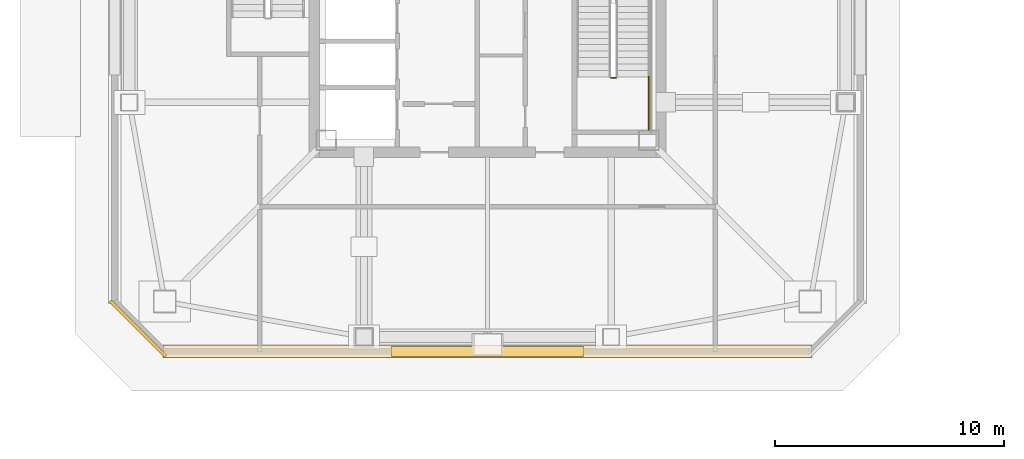
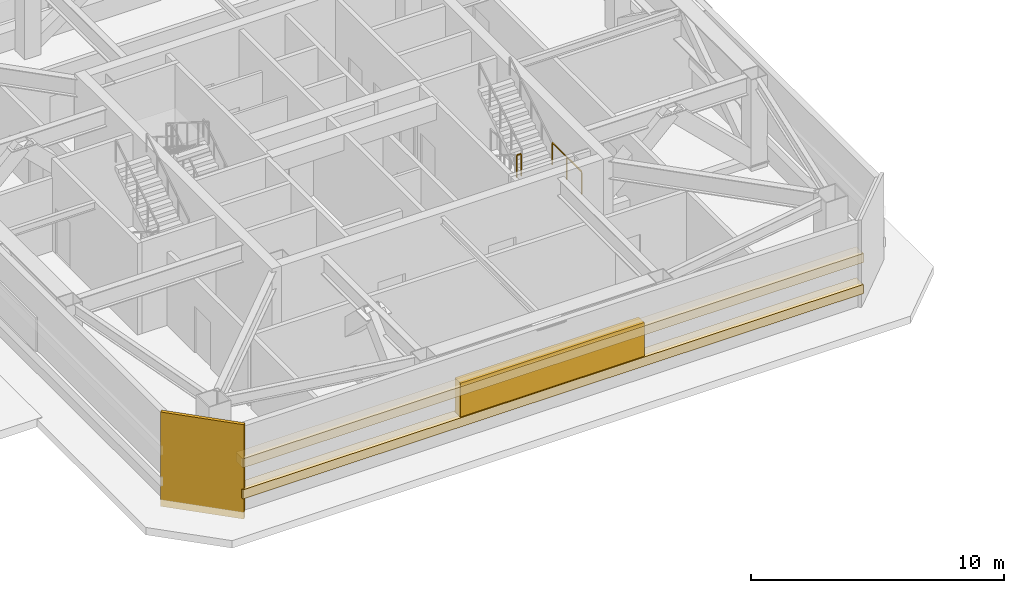
# One storey, part 10 of 15: 3 coverings, 2 railings, 1 shading device.
"""IFC4 building model written with IfcOpenShell, lengths in metres."""

from ifc_helpers import new_model, si_unit, direction, frame, origin, origin_2d, place, context, subcontext, project, spatial, rectangle, extrude, material, layer, layer_set, type_object, element, save


model = new_model("IFC4")

# Units and contexts
model_context = context("Model", 3, precision=1e-05, world=origin(), true_north=direction((0.0, 1.0)))
body_context = subcontext(model_context, "Body", "Model", "MODEL_VIEW")
ifc_project = project(units=[si_unit("LENGTHUNIT", "METRE"), si_unit("AREAUNIT", "SQUARE_METRE"), si_unit("VOLUMEUNIT", "CUBIC_METRE"), si_unit("PLANEANGLEUNIT", "RADIAN"), si_unit("MASSUNIT", "GRAM", prefix="KILO")], contexts=[model_context])

# Site, building, storey
site_placement = place(None, origin())
site = spatial("IfcSite", under=ifc_project, at=site_placement, CompositionType="ELEMENT")
building_placement = place(site_placement, origin())
building = spatial("IfcBuilding", under=site, at=building_placement, Name="Tashvorn Skyway Center", CompositionType="ELEMENT")
storey_placement = place(building_placement, frame((0.0, 0.0, 199.60009765625)))
storey = spatial("IfcBuildingStorey", under=building, at=storey_placement, Name="L54", CompositionType="ELEMENT", Elevation=199.60009765625)

# Coverings
ifc_material_1 = material(Name="Perforated ceramic-coated bronze aluminium solar screen", Category="aluminium")
ifc_layer_1 = layer(ifc_material_1, 0.85009765625)
ifc_layer_set_1 = layer_set([ifc_layer_1], Name="Perforated ceramic-coated bronze aluminium solar screen")
covering_type_1 = type_object("IfcCoveringType", Name="COV-SOLAR-BAND", PredefinedType="CLADDING", material=ifc_layer_set_1)
for number, where, z_axis, x_axis, name in (
    (1, (42.0, 15.719970703125, 1.030029296875), (0.0, 0.0, 1.0), (-1.0, 0.0, 0.0), "Tower 1 L54 South Belt Acoustic Louvre Band 1"),
    (2, (42.0, 15.719970703125, 2.530029296875), (0.0, 0.0, 1.0), (-1.0, 0.0, 0.0), "Tower 1 L54 South Belt Acoustic Louvre Band 2"),
):
    element("IfcCovering", number, at=place(storey_placement, frame(where, z_axis=z_axis, x_axis=x_axis)), inside=storey, type_object=covering_type_1, Name=name, PredefinedType="CLADDING", context=body_context, shape_type="SweptSolid", body=[
        extrude(rectangle(XDim=28.360107421875, YDim=0.550048828125, at=origin_2d()), origin(), (0.0, 0.0, 1.0), 0.43994140625),
    ])
ifc_material_2 = material(Name="Precast concrete C40/50", Category="concrete")
ifc_layer_2 = layer(ifc_material_2, 0.35009765625)
ifc_layer_set_2 = layer_set([ifc_layer_2], Name="Precast concrete C40/50")
covering_type_2 = type_object("IfcCoveringType", Name="COV-STONE-TRIM", PredefinedType="CLADDING", material=ifc_layer_set_2)
covering_placement = place(storey_placement, frame((26.72998046875, 16.72998046875, 0.019775390625), z_axis=(0.0, 0.0, 1.0), x_axis=(-0.707106781187, 0.707106781187, 0.0)))
element("IfcCovering", 3, at=covering_placement, inside=storey, type_object=covering_type_2, Name="Tower 1 L54 SW Mojave Limestone Corner Quoin", PredefinedType="CLADDING", context=body_context, shape_type="SweptSolid", body=[
    extrude(rectangle(XDim=3.41259765625, YDim=0.139892578125, at=origin_2d()), origin(), (0.0, 0.0, 1.0), 4.56005859375),
])

# Railings
ifc_material_3 = material(Name="Painted galvanized steel S355", Category="steel")
railing_type = type_object("IfcRailingType", Name="RAIL-STGUARD-1100", PredefinedType="GUARDRAIL", material=ifc_material_3)
railing_1_placement = place(storey_placement, frame((47.39990234375, 27.669921875, 2.2998046875)))
element("IfcRailing", 4, at=railing_1_placement, inside=storey, type_object=railing_type, Name="L54 ST-T1-2 stair guard 2", PredefinedType="GUARDRAIL", context=body_context, shape_type="SweptSolid", body=[
    extrude(rectangle(XDim=0.048095703125, YDim=0.048095703125, at=origin_2d()), frame((0.0, 0.0, 1.076171875), z_axis=(1.0, 0.0, 0.0), x_axis=(0.0, 1.0, 0.0)), (0.0, 0.0, 1.0), 0.2001953125),
    extrude(rectangle(XDim=0.0419921875, YDim=0.0419921875, at=origin_2d()), origin(), (0.0, 0.0, 1.0), 1.052001953125),
    extrude(rectangle(XDim=0.0419921875, YDim=0.0419921875, at=origin_2d()), frame((0.2001953125, 0.0, 0.0)), (0.0, 0.0, 1.0), 1.052001953125),
])
railing_2_placement = place(storey_placement, frame((49.050048828125, 27.719970703125, 2.2998046875)))
element("IfcRailing", 5, at=railing_2_placement, inside=storey, type_object=railing_type, Name="L54 ST-T1-2 stair guard 3", PredefinedType="GUARDRAIL", context=body_context, shape_type="SweptSolid", body=[
    extrude(rectangle(XDim=0.048095703125, YDim=0.048095703125, at=origin_2d()), frame((0.0, 0.0, 1.076171875), z_axis=(0.0, -1.0, 0.0), x_axis=(1.0, 0.0, 0.0)), (0.0, 0.0, 1.0), 2.320068359375),
    extrude(rectangle(XDim=0.0419921875, YDim=0.0419921875, at=origin_2d()), origin(), (0.0, 0.0, 1.0), 1.052001953125),
    extrude(rectangle(XDim=0.0419921875, YDim=0.0419921875, at=origin_2d()), frame((0.0, -1.16015625, 0.0)), (0.0, 0.0, 1.0), 1.052001953125),
    extrude(rectangle(XDim=0.0419921875, YDim=0.0419921875, at=origin_2d()), frame((0.0, -2.320068359375, 0.0)), (0.0, 0.0, 1.0), 1.052001953125),
])

# Shading device
ifc_material_4 = material(Name="Thermally broken bronze-anodized aluminium 6063-T6", Category="aluminium")
ifc_layer_3 = layer(ifc_material_4, 0.1201171875)
ifc_layer_set_3 = layer_set([ifc_layer_3], Name="Thermally broken bronze-anodized aluminium 6063-T6")
shading_device_type = type_object("IfcShadingDeviceType", Name="SHD-LOUVRE-450", PredefinedType="JALOUSIE", material=ifc_layer_set_3)
shading_device_placement = place(storey_placement, frame((42.0, 15.719970703125, 1.2998046875), z_axis=(0.0, 0.0, 1.0), x_axis=(-1.0, 0.0, 0.0)))
element("IfcShadingDevice", 6, at=shading_device_placement, inside=storey, type_object=shading_device_type, Name="Tower 1 L54 South Mechanical Intake Louvre", PredefinedType="JALOUSIE", context=body_context, shape_type="SweptSolid", body=[
    extrude(rectangle(XDim=8.39990234375, YDim=0.449951171875, at=origin_2d()), origin(), (0.0, 0.0, 1.0), 1.800048828125),
])

save(model, "model.ifc")
